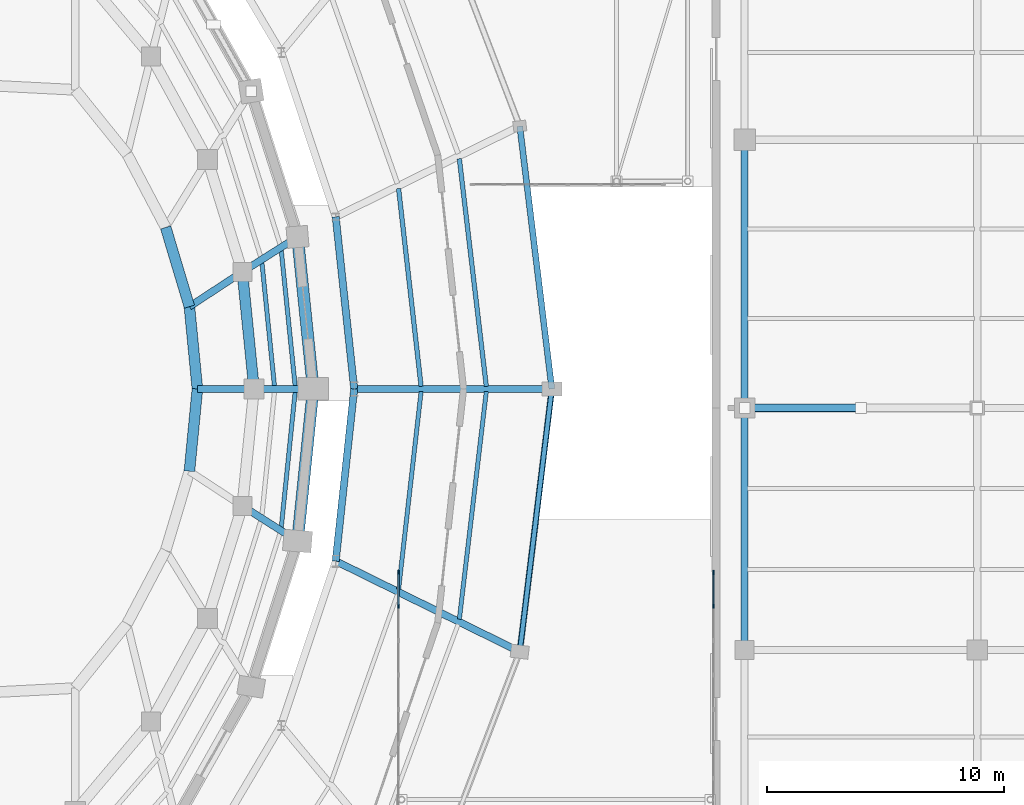
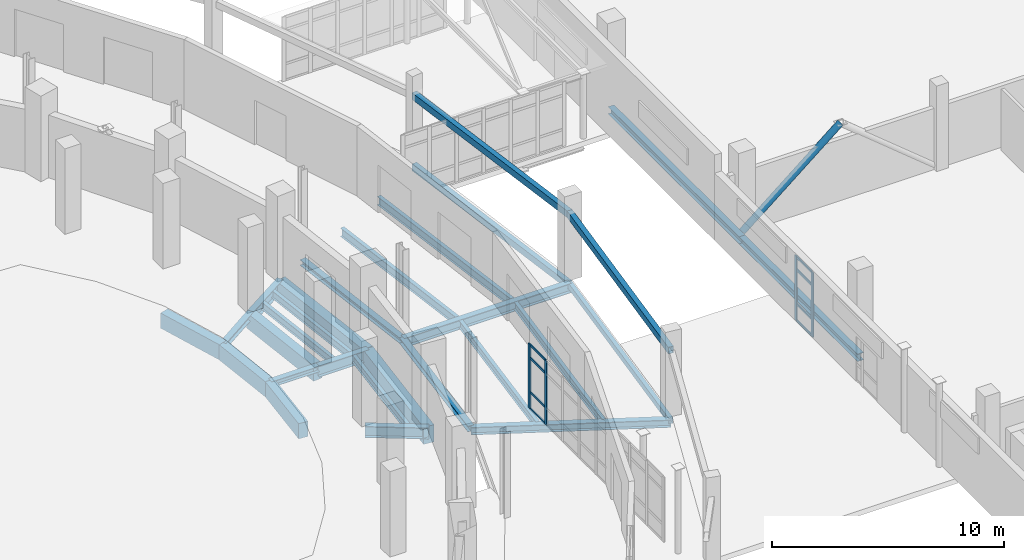
# One storey, part 71 of 122: 28 beams, 13 members, 2 elements without a shape of their own.
"""IFC4 building model written with IfcOpenShell, lengths in metres."""

from ifc_helpers import new_model, si_unit, direction, frame, origin, origin_2d, place, context, subcontext, project, spatial, rectangle, hollow_rectangle, hollow_circle, i_section, extrude, material, layer, layer_set, material_profile, profile_set, type_object, element, aggregate, save


model = new_model("IFC4")

# Units and contexts
model_context = context("Model", 3, precision=1e-05, world=origin(), true_north=direction((0.0, 1.0)))
body_context = subcontext(model_context, "Body", "Model", "MODEL_VIEW")
ifc_project = project(units=[si_unit("LENGTHUNIT", "METRE"), si_unit("AREAUNIT", "SQUARE_METRE"), si_unit("VOLUMEUNIT", "CUBIC_METRE"), si_unit("PLANEANGLEUNIT", "RADIAN"), si_unit("MASSUNIT", "GRAM", prefix="KILO")], contexts=[model_context])

# Site, building, storey
site_placement = place(None, origin())
site = spatial("IfcSite", under=ifc_project, at=site_placement, CompositionType="ELEMENT")
building_placement = place(site_placement, origin())
building = spatial("IfcBuilding", under=site, at=building_placement, Name="Sohan Crest Arena", CompositionType="ELEMENT")
storey_placement = place(building_placement, origin())
storey = spatial("IfcBuildingStorey", under=building, at=storey_placement, Name="L00", CompositionType="ELEMENT", Elevation=0.0)

# Curtain wall, members
ifc_material_1 = material(Name="Thermally broken anodised aluminium", Category="aluminium")
ifc_layer = layer(ifc_material_1, 0.18994140625, Name="Thermally broken anodised aluminium")
ifc_layer_set = layer_set([ifc_layer], Name="Thermally broken anodised aluminium")
curtain_wall_type = type_object("IfcCurtainWallType", Name="ARC-CW05", PredefinedType="NOTDEFINED", material=ifc_layer_set)
curtain_wall_1_placement = place(storey_placement, origin())
curtain_wall_1 = element("IfcCurtainWall", 1, at=curtain_wall_1_placement, inside=storey, type_object=curtain_wall_type, Name="Unitised curtain wall CW-239", PredefinedType="NOTDEFINED")
ifc_material_profile_1 = material_profile(ifc_material_1, rectangle(XDim=0.06494140625, YDim=0.179931640625, at=origin_2d()), Name="ALU-MULL 65x180")
ifc_profile_set_1 = profile_set([ifc_material_profile_1], Name="Thermally broken anodised aluminium")
member_type_1 = type_object("IfcMemberType", Name="ARC-CW-ML02", PredefinedType="MULLION", material=ifc_profile_set_1)
member_1_placement = place(storey_placement, frame((181.6201171875, 68.85009765625, 0.0), z_axis=(0.0, 0.0, 1.0), x_axis=(-1.0, 0.0, 0.0)))
member_1 = element("IfcMember", 2, at=member_1_placement, type_object=member_type_1, Name="CW-239 mullion 8", PredefinedType="MULLION", context=body_context, shape_type="SweptSolid", body=[
    extrude(rectangle(XDim=0.06494140625, YDim=0.179931640625, at=origin_2d()), origin(), (0.0, 0.0, 1.0), 3.39990234375),
])
member_2_placement = place(storey_placement, frame((181.6201171875, 70.267578125, 0.0), z_axis=(0.0, 0.0, 1.0), x_axis=(-1.0, 0.0, 0.0)))
member_2 = element("IfcMember", 3, at=member_2_placement, type_object=member_type_1, Name="CW-239 mullion 9", PredefinedType="MULLION", context=body_context, shape_type="SweptSolid", body=[
    extrude(rectangle(XDim=0.06494140625, YDim=0.179931640625, at=origin_2d()), origin(), (0.0, 0.0, 1.0), 3.39990234375),
])

curtain_wall_2_placement = place(storey_placement, origin())
curtain_wall_2 = element("IfcCurtainWall", 4, at=curtain_wall_2_placement, inside=storey, type_object=curtain_wall_type, Name="Unitised curtain wall CW-240", PredefinedType="NOTDEFINED")
member_3_placement = place(storey_placement, frame((194.8798828125, 68.85009765625, 0.0), z_axis=(0.0, 0.0, 1.0), x_axis=(-1.0, 0.0, 0.0)))
member_3 = element("IfcMember", 5, at=member_3_placement, type_object=member_type_1, Name="CW-240 mullion 8", PredefinedType="MULLION", context=body_context, shape_type="SweptSolid", body=[
    extrude(rectangle(XDim=0.06494140625, YDim=0.179931640625, at=origin_2d()), origin(), (0.0, 0.0, 1.0), 3.39990234375),
])
member_4_placement = place(storey_placement, frame((194.8798828125, 70.267578125, 0.0), z_axis=(0.0, 0.0, 1.0), x_axis=(-1.0, 0.0, 0.0)))
member_4 = element("IfcMember", 6, at=member_4_placement, type_object=member_type_1, Name="CW-240 mullion 9", PredefinedType="MULLION", context=body_context, shape_type="SweptSolid", body=[
    extrude(rectangle(XDim=0.06494140625, YDim=0.179931640625, at=origin_2d()), origin(), (0.0, 0.0, 1.0), 3.39990234375),
])

# Member
ifc_material_profile_2 = material_profile(ifc_material_1, rectangle(XDim=0.06005859375, YDim=0.1201171875, at=origin_2d()), Name="ALU-TRAN 60x120")
ifc_profile_set_2 = profile_set([ifc_material_profile_2], Name="Thermally broken anodised aluminium")
member_type_2 = type_object("IfcMemberType", Name="ARC-CW-TR01", PredefinedType="USERDEFINED", material=ifc_profile_set_2)
member_5_placement = place(storey_placement, frame((181.6201171875, 68.882568359375, 0.030029296875), z_axis=(0.0, 1.0, 0.0), x_axis=(-1.0, 0.0, 0.0)))
member_5 = element("IfcMember", 7, at=member_5_placement, type_object=member_type_2, Name="CW-239 transom 8.1", ObjectType="TRANSOM", PredefinedType="USERDEFINED", context=body_context, shape_type="SweptSolid", body=[
    extrude(rectangle(XDim=0.06005859375, YDim=0.1201171875, at=origin_2d()), origin(), (0.0, 0.0, 1.0), 1.3525390625),
])

member_6_placement = place(storey_placement, frame((181.6201171875, 68.882568359375, 0.89990234375), z_axis=(0.0, 1.0, 0.0), x_axis=(-1.0, 0.0, 0.0)))
member_6 = element("IfcMember", 8, at=member_6_placement, type_object=member_type_2, Name="CW-239 transom 8.2", ObjectType="TRANSOM", PredefinedType="USERDEFINED", context=body_context, shape_type="SweptSolid", body=[
    extrude(rectangle(XDim=0.06005859375, YDim=0.1201171875, at=origin_2d()), origin(), (0.0, 0.0, 1.0), 1.3525390625),
])

member_7_placement = place(storey_placement, frame((181.6201171875, 68.882568359375, 2.699951171875), z_axis=(0.0, 1.0, 0.0), x_axis=(-1.0, 0.0, 0.0)))
member_7 = element("IfcMember", 9, at=member_7_placement, type_object=member_type_2, Name="CW-239 transom 8.3", ObjectType="TRANSOM", PredefinedType="USERDEFINED", context=body_context, shape_type="SweptSolid", body=[
    extrude(rectangle(XDim=0.06005859375, YDim=0.1201171875, at=origin_2d()), origin(), (0.0, 0.0, 1.0), 1.3525390625),
])

member_8_placement = place(storey_placement, frame((181.6201171875, 68.882568359375, 3.3701171875), z_axis=(0.0, 1.0, 0.0), x_axis=(-1.0, 0.0, 0.0)))
member_8 = element("IfcMember", 10, at=member_8_placement, type_object=member_type_2, Name="CW-239 transom 8.4", ObjectType="TRANSOM", PredefinedType="USERDEFINED", context=body_context, shape_type="SweptSolid", body=[
    extrude(rectangle(XDim=0.06005859375, YDim=0.1201171875, at=origin_2d()), origin(), (0.0, 0.0, 1.0), 1.3525390625),
])

aggregate(curtain_wall_1, [member_1, member_2, member_5, member_6, member_7, member_8])

member_9_placement = place(storey_placement, frame((194.8798828125, 68.882568359375, 0.030029296875), z_axis=(0.0, 1.0, 0.0), x_axis=(-1.0, 0.0, 0.0)))
member_9 = element("IfcMember", 11, at=member_9_placement, type_object=member_type_2, Name="CW-240 transom 8.1", ObjectType="TRANSOM", PredefinedType="USERDEFINED", context=body_context, shape_type="SweptSolid", body=[
    extrude(rectangle(XDim=0.06005859375, YDim=0.1201171875, at=origin_2d()), origin(), (0.0, 0.0, 1.0), 1.3525390625),
])

member_10_placement = place(storey_placement, frame((194.8798828125, 68.882568359375, 0.89990234375), z_axis=(0.0, 1.0, 0.0), x_axis=(-1.0, 0.0, 0.0)))
member_10 = element("IfcMember", 12, at=member_10_placement, type_object=member_type_2, Name="CW-240 transom 8.2", ObjectType="TRANSOM", PredefinedType="USERDEFINED", context=body_context, shape_type="SweptSolid", body=[
    extrude(rectangle(XDim=0.06005859375, YDim=0.1201171875, at=origin_2d()), origin(), (0.0, 0.0, 1.0), 1.3525390625),
])

member_11_placement = place(storey_placement, frame((194.8798828125, 68.882568359375, 2.699951171875), z_axis=(0.0, 1.0, 0.0), x_axis=(-1.0, 0.0, 0.0)))
member_11 = element("IfcMember", 13, at=member_11_placement, type_object=member_type_2, Name="CW-240 transom 8.3", ObjectType="TRANSOM", PredefinedType="USERDEFINED", context=body_context, shape_type="SweptSolid", body=[
    extrude(rectangle(XDim=0.06005859375, YDim=0.1201171875, at=origin_2d()), origin(), (0.0, 0.0, 1.0), 1.3525390625),
])

member_12_placement = place(storey_placement, frame((194.8798828125, 68.882568359375, 3.3701171875), z_axis=(0.0, 1.0, 0.0), x_axis=(-1.0, 0.0, 0.0)))
member_12 = element("IfcMember", 14, at=member_12_placement, type_object=member_type_2, Name="CW-240 transom 8.4", ObjectType="TRANSOM", PredefinedType="USERDEFINED", context=body_context, shape_type="SweptSolid", body=[
    extrude(rectangle(XDim=0.06005859375, YDim=0.1201171875, at=origin_2d()), origin(), (0.0, 0.0, 1.0), 1.3525390625),
])

aggregate(curtain_wall_2, [member_3, member_4, member_9, member_10, member_11, member_12])

# Beams
ifc_material_2 = material(Name="Steel S355", Category="steel")
ifc_material_profile_3 = material_profile(ifc_material_2, i_section(OverallWidth=0.179931640625, OverallDepth=0.39990234375, WebThickness=0.008544921875, FlangeThickness=0.013427734375, at=origin_2d()), Name="IPE 400")
ifc_profile_set_3 = profile_set([ifc_material_profile_3], Name="Steel S355")
beam_type_1 = type_object("IfcBeamType", Name="STR-BM-B03", PredefinedType="JOIST", material=ifc_profile_set_3)
beam_1_placement = place(storey_placement, frame((176.676025390625, 72.14501953125, -0.449951171875), z_axis=(0.101947356638, 0.99478979512, 0.0), x_axis=(-0.99478979512, 0.101947356638, 0.0)))
element("IfcBeam", 15, at=beam_1_placement, inside=storey, type_object=beam_type_1, Name="Structural beam J-L00-0549", PredefinedType="JOIST", context=body_context, shape_type="SweptSolid", body=[
    extrude(i_section(OverallWidth=0.179931640625, OverallDepth=0.39990234375, WebThickness=0.008544921875, FlangeThickness=0.013427734375, at=origin_2d()), origin(), (0.0, 0.0, 1.0), 5.776123046875),
])
beam_2_placement = place(storey_placement, frame((176.39306640625, 78.10888671875, -0.449951171875), z_axis=(-0.101030499598, 0.994883328914, 0.0), x_axis=(-0.994883328914, -0.101030499598, 0.0)))
element("IfcBeam", 16, at=beam_2_placement, inside=storey, type_object=beam_type_1, Name="Structural beam J-L00-0571", PredefinedType="JOIST", context=body_context, shape_type="SweptSolid", body=[
    extrude(i_section(OverallWidth=0.179931640625, OverallDepth=0.39990234375, WebThickness=0.008544921875, FlangeThickness=0.013427734375, at=origin_2d()), origin(), (0.0, 0.0, 1.0), 5.255859375),
])
beam_3_placement = place(storey_placement, frame((177.264892578125, 78.10888671875, -0.449951171875), z_axis=(-0.101947356638, 0.99478979512, 0.0), x_axis=(-0.99478979512, -0.101947356638, 0.0)))
element("IfcBeam", 17, at=beam_3_placement, inside=storey, type_object=beam_type_1, Name="Structural beam J-L00-0572", PredefinedType="JOIST", context=body_context, shape_type="SweptSolid", body=[
    extrude(i_section(OverallWidth=0.179931640625, OverallDepth=0.39990234375, WebThickness=0.008544921875, FlangeThickness=0.013427734375, at=origin_2d()), origin(), (0.0, 0.0, 1.0), 5.776123046875),
])
beam_4_placement = place(storey_placement, frame((181.6201171875, 69.55908203125, -0.47509765625), z_axis=(0.11316313726, 0.993576420999, 0.0), x_axis=(-0.993576420999, 0.11316313726, 0.0)))
element("IfcBeam", 18, at=beam_4_placement, inside=storey, type_object=beam_type_1, Name="Structural beam J-L00-1024", PredefinedType="JOIST", context=body_context, shape_type="SweptSolid", body=[
    extrude(i_section(OverallWidth=0.179931640625, OverallDepth=0.39990234375, WebThickness=0.008544921875, FlangeThickness=0.013427734375, at=origin_2d()), origin(), (0.0, 0.0, 1.0), 8.385986328125),
])
beam_5_placement = place(storey_placement, frame((184.179931640625, 68.299072265625, -0.47509765625), z_axis=(0.117608198901, 0.993060074493, 0.0), x_axis=(-0.993060074493, 0.117608198901, 0.0)))
element("IfcBeam", 19, at=beam_5_placement, inside=storey, type_object=beam_type_1, Name="Structural beam J-L00-1025", PredefinedType="JOIST", context=body_context, shape_type="SweptSolid", body=[
    extrude(i_section(OverallWidth=0.179931640625, OverallDepth=0.39990234375, WebThickness=0.008544921875, FlangeThickness=0.013427734375, at=origin_2d()), origin(), (0.0, 0.0, 1.0), 9.6591796875),
])
ifc_material_profile_4 = material_profile(ifc_material_2, i_section(OverallWidth=0.18994140625, OverallDepth=0.449951171875, WebThickness=0.009521484375, FlangeThickness=0.0146484375, at=origin_2d()), Name="IPE 450")
ifc_profile_set_4 = profile_set([ifc_material_profile_4], Name="Steel S355")
beam_type_2 = type_object("IfcBeamType", Name="STR-BM-B04", PredefinedType="JOIST", material=ifc_profile_set_4)
beam_6_placement = place(storey_placement, frame((182.569091796875, 78.10888671875, -0.5), z_axis=(-0.11316313726, 0.993576420999, 0.0), x_axis=(-0.993576420999, -0.11316313726, 0.0)))
element("IfcBeam", 20, at=beam_6_placement, inside=storey, type_object=beam_type_2, Name="Structural beam J-L00-1030", PredefinedType="JOIST", context=body_context, shape_type="SweptSolid", body=[
    extrude(i_section(OverallWidth=0.18994140625, OverallDepth=0.449951171875, WebThickness=0.009521484375, FlangeThickness=0.0146484375, at=origin_2d()), origin(), (0.0, 0.0, 1.0), 8.385986328125),
])
beam_7_placement = place(storey_placement, frame((185.31591796875, 78.10888671875, -0.5), z_axis=(-0.117608198901, 0.993060074493, 0.0), x_axis=(-0.993060074493, -0.117608198901, 0.0)))
element("IfcBeam", 21, at=beam_7_placement, inside=storey, type_object=beam_type_2, Name="Structural beam J-L00-1031", PredefinedType="JOIST", context=body_context, shape_type="SweptSolid", body=[
    extrude(i_section(OverallWidth=0.18994140625, OverallDepth=0.449951171875, WebThickness=0.009521484375, FlangeThickness=0.0146484375, at=origin_2d()), origin(), (0.0, 0.0, 1.0), 9.6591796875),
])
ifc_material_profile_5 = material_profile(ifc_material_2, i_section(OverallWidth=0.300048828125, OverallDepth=0.389892578125, WebThickness=0.010986328125, FlangeThickness=0.01904296875, at=origin_2d()), Name="HEA 400")
ifc_profile_set_5 = profile_set([ifc_material_profile_5], Name="Steel S355")
beam_type_3 = type_object("IfcBeamType", Name="STR-BM-B09", PredefinedType="BEAM", material=ifc_profile_set_5)
beam_8_placement = place(storey_placement, frame((196.199951171875, 67.0, -0.425048828125), z_axis=(0.0, 1.0, 0.0), x_axis=(-1.0, 0.0, 0.0)))
element("IfcBeam", 22, at=beam_8_placement, inside=storey, type_object=beam_type_3, Name="Structural beam G-L00-2185", PredefinedType="BEAM", context=body_context, shape_type="SweptSolid", body=[
    extrude(i_section(OverallWidth=0.300048828125, OverallDepth=0.389892578125, WebThickness=0.010986328125, FlangeThickness=0.01904296875, at=origin_2d()), origin(), (0.0, 0.0, 1.0), 10.199951171875),
])
beam_9_placement = place(storey_placement, frame((196.199951171875, 77.199951171875, -0.425048828125), z_axis=(0.0, 1.0, 0.0), x_axis=(-1.0, 0.0, 0.0)))
element("IfcBeam", 23, at=beam_9_placement, inside=storey, type_object=beam_type_3, Name="Structural beam G-L00-2186", PredefinedType="BEAM", context=body_context, shape_type="SweptSolid", body=[
    extrude(i_section(OverallWidth=0.300048828125, OverallDepth=0.389892578125, WebThickness=0.010986328125, FlangeThickness=0.01904296875, at=origin_2d()), origin(), (0.0, 0.0, 1.0), 11.300048828125),
])
ifc_material_profile_6 = material_profile(ifc_material_2, i_section(OverallWidth=0.300048828125, OverallDepth=0.590087890625, WebThickness=0.012939453125, FlangeThickness=0.02490234375, at=origin_2d()), Name="HEA 600")
ifc_profile_set_6 = profile_set([ifc_material_profile_6], Name="Steel S355")
beam_type_4 = type_object("IfcBeamType", Name="STR-BM-B11", PredefinedType="BEAM", material=ifc_profile_set_6)
beam_10_placement = place(storey_placement, frame((175.037109375, 73.070068359375, -0.544921875), z_axis=(0.84416826172, -0.536078302027, 0.0), x_axis=(0.536078302027, 0.84416826172, 0.0)))
element("IfcBeam", 24, at=beam_10_placement, inside=storey, type_object=beam_type_4, Name="Structural beam G-L00-0547", PredefinedType="BEAM", context=body_context, shape_type="SweptSolid", body=[
    extrude(i_section(OverallWidth=0.300048828125, OverallDepth=0.590087890625, WebThickness=0.012939453125, FlangeThickness=0.02490234375, at=origin_2d()), origin(), (0.0, 0.0, 1.0), 2.75537109375),
])
beam_11_placement = place(storey_placement, frame((175.531982421875, 78.0, -0.544921875), z_axis=(1.0, 0.0, 0.0), x_axis=(0.0, 1.0, 0.0)))
element("IfcBeam", 25, at=beam_11_placement, inside=storey, type_object=beam_type_4, Name="Structural beam G-L00-0570", PredefinedType="BEAM", context=body_context, shape_type="SweptSolid", body=[
    extrude(i_section(OverallWidth=0.300048828125, OverallDepth=0.590087890625, WebThickness=0.012939453125, FlangeThickness=0.02490234375, at=origin_2d()), origin(), (0.0, 0.0, 1.0), 2.490966796875),
])
beam_12_placement = place(storey_placement, frame((175.037109375, 82.929931640625, -0.544921875), z_axis=(0.84416826172, 0.536078302027, 0.0), x_axis=(-0.536078302027, 0.84416826172, 0.0)))
element("IfcBeam", 26, at=beam_12_placement, inside=storey, type_object=beam_type_4, Name="Structural beam G-L00-0593", PredefinedType="BEAM", context=body_context, shape_type="SweptSolid", body=[
    extrude(i_section(OverallWidth=0.300048828125, OverallDepth=0.590087890625, WebThickness=0.012939453125, FlangeThickness=0.02490234375, at=origin_2d()), origin(), (0.0, 0.0, 1.0), 2.75537109375),
])
ifc_material_profile_7 = material_profile(ifc_material_2, i_section(OverallWidth=0.300048828125, OverallDepth=0.300048828125, WebThickness=0.010986328125, FlangeThickness=0.01904296875, at=origin_2d()), Name="HEB 300")
ifc_profile_set_7 = profile_set([ifc_material_profile_7], Name="Steel S355")
beam_type_5 = type_object("IfcBeamType", Name="STR-BM-B12", PredefinedType="BEAM", material=ifc_profile_set_7)
beam_13_placement = place(storey_placement, frame((173.14501953125, 78.0, -0.39990234375), z_axis=(1.0, 0.0, 0.0), x_axis=(0.0, 1.0, 0.0)))
element("IfcBeam", 27, at=beam_13_placement, inside=storey, type_object=beam_type_5, Name="Structural beam G-L00-0567", PredefinedType="BEAM", context=body_context, shape_type="SweptSolid", body=[
    extrude(i_section(OverallWidth=0.300048828125, OverallDepth=0.300048828125, WebThickness=0.010986328125, FlangeThickness=0.01904296875, at=origin_2d()), origin(), (0.0, 0.0, 1.0), 2.386962890625),
])
beam_14_placement = place(storey_placement, frame((172.80810546875, 81.467041015625, -0.39990234375), z_axis=(0.836029533963, 0.54868444332, 0.0), x_axis=(-0.54868444332, 0.836029533963, 0.0)))
element("IfcBeam", 28, at=beam_14_placement, inside=storey, type_object=beam_type_5, Name="Structural beam G-L00-0590", PredefinedType="BEAM", context=body_context, shape_type="SweptSolid", body=[
    extrude(i_section(OverallWidth=0.300048828125, OverallDepth=0.300048828125, WebThickness=0.010986328125, FlangeThickness=0.01904296875, at=origin_2d()), origin(), (0.0, 0.0, 1.0), 2.666259765625),
])
for number, where, z_axis, x_axis, name in (
    (29, (178.971923828125, 70.748046875, -0.425048828125), (0.106679679342, 0.994293440598, 0.0), (-0.994293440598, 0.106679679342, 0.0), "Structural beam G-L00-1021"),
    (30, (179.75, 78.0, -0.425048828125), (-0.106679679342, 0.994293440598, 0.0), (-0.994293440598, -0.106679679342, 0.0), "Structural beam G-L00-1027"),
):
    element("IfcBeam", number, at=place(storey_placement, frame(where, z_axis=z_axis, x_axis=x_axis)), inside=storey, type_object=beam_type_5, Name=name, PredefinedType="BEAM", context=body_context, shape_type="SweptSolid", body=[
        extrude(i_section(OverallWidth=0.300048828125, OverallDepth=0.300048828125, WebThickness=0.010986328125, FlangeThickness=0.01904296875, at=origin_2d()), origin(), (0.0, 0.0, 1.0), 7.29345703125),
    ])
ifc_material_profile_8 = material_profile(ifc_material_2, i_section(OverallWidth=0.300048828125, OverallDepth=0.39990234375, WebThickness=0.013427734375, FlangeThickness=0.02392578125, at=origin_2d()), Name="HEB 400")
ifc_profile_set_8 = profile_set([ifc_material_profile_8], Name="Steel S355")
beam_type_6 = type_object("IfcBeamType", Name="STR-BM-B13", PredefinedType="BEAM", material=ifc_profile_set_8)
beam_15_placement = place(storey_placement, frame((178.971923828125, 70.748046875, -0.47509765625), z_axis=(0.897117109087, -0.441792816356, 0.0), x_axis=(0.441792816356, 0.897117109087, 0.0)))
element("IfcBeam", 31, at=beam_15_placement, inside=storey, type_object=beam_type_6, Name="Structural beam G-L00-1020", PredefinedType="BEAM", context=body_context, shape_type="SweptSolid", body=[
    extrude(i_section(OverallWidth=0.300048828125, OverallDepth=0.39990234375, WebThickness=0.013427734375, FlangeThickness=0.02392578125, at=origin_2d()), origin(), (0.0, 0.0, 1.0), 8.642333984375),
])
ifc_material_profile_9 = material_profile(ifc_material_2, i_section(OverallWidth=0.300048828125, OverallDepth=0.5, WebThickness=0.014404296875, FlangeThickness=0.028076171875, at=origin_2d()), Name="HEB 500")
ifc_profile_set_9 = profile_set([ifc_material_profile_9], Name="Steel S355")
beam_type_7 = type_object("IfcBeamType", Name="STR-BM-B14", PredefinedType="BEAM", material=ifc_profile_set_9)
beam_16_placement = place(storey_placement, frame((179.75, 78.0, -0.52490234375), z_axis=(1.0, 0.0, 0.0), x_axis=(0.0, 1.0, 0.0)))
element("IfcBeam", 32, at=beam_16_placement, inside=storey, type_object=beam_type_7, Name="Structural beam G-L00-1026", PredefinedType="BEAM", context=body_context, shape_type="SweptSolid", body=[
    extrude(i_section(OverallWidth=0.300048828125, OverallDepth=0.5, WebThickness=0.014404296875, FlangeThickness=0.028076171875, at=origin_2d()), origin(), (0.0, 0.0, 1.0), 8.326904296875),
])
ifc_material_profile_10 = material_profile(ifc_material_2, hollow_rectangle(XDim=0.199951171875, YDim=0.300048828125, WallThickness=0.010009765625, at=origin_2d()), Name="RHS 300x200x10")
ifc_profile_set_10 = profile_set([ifc_material_profile_10], Name="Steel S355")
beam_type_8 = type_object("IfcBeamType", Name="STR-BM-SP03", PredefinedType="SPANDREL", material=ifc_profile_set_10)
beam_17_placement = place(storey_placement, frame((186.72509765625, 66.929931640625, -0.425048828125), z_axis=(0.121213260401, 0.992626488415, 0.0), x_axis=(-0.992626488415, 0.121213260401, 0.0)))
element("IfcBeam", 33, at=beam_17_placement, inside=storey, type_object=beam_type_8, Name="Structural beam SP-L00-1022", PredefinedType="SPANDREL", context=body_context, shape_type="SweptSolid", body=[
    extrude(hollow_rectangle(XDim=0.199951171875, YDim=0.300048828125, WallThickness=0.010009765625, at=origin_2d()), origin(), (0.0, 0.0, 1.0), 11.15234375),
])
ifc_material_profile_11 = material_profile(ifc_material_2, hollow_rectangle(XDim=0.25, YDim=0.35009765625, WallThickness=0.012451171875, at=origin_2d()), Name="RHS 350x250x12.5")
ifc_profile_set_11 = profile_set([ifc_material_profile_11], Name="Steel S355")
beam_type_9 = type_object("IfcBeamType", Name="STR-BM-SP04", PredefinedType="SPANDREL", material=ifc_profile_set_11)
for number, where, z_axis, x_axis, name in (
    (34, (186.72509765625, 66.929931640625, 3.300048828125), (0.121213260401, 0.992626488415, 0.0), (-0.992626488415, 0.121213260401, 0.0), "Structural beam ARC-L00-1023"),
    (35, (188.076904296875, 78.0, -0.449951171875), (-0.121213260401, 0.992626488415, 0.0), (-0.992626488415, -0.121213260401, 0.0), "Structural beam SP-L00-1028"),
    (36, (188.076904296875, 78.0, 3.300048828125), (-0.121213260401, 0.992626488415, 0.0), (-0.992626488415, -0.121213260401, 0.0), "Structural beam ARC-L00-1029"),
):
    element("IfcBeam", number, at=place(storey_placement, frame(where, z_axis=z_axis, x_axis=x_axis)), inside=storey, type_object=beam_type_9, Name=name, PredefinedType="SPANDREL", context=body_context, shape_type="SweptSolid", body=[
        extrude(hollow_rectangle(XDim=0.25, YDim=0.35009765625, WallThickness=0.012451171875, at=origin_2d()), origin(), (0.0, 0.0, 1.0), 11.15234375),
    ])
ifc_material_3 = material(Name="Concrete C40/50", Category="concrete")
ifc_material_profile_12 = material_profile(ifc_material_3, rectangle(XDim=0.449951171875, YDim=0.800048828125, at=origin_2d()), Name="RC-BM 450x800")
ifc_profile_set_12 = profile_set([ifc_material_profile_12], Name="Concrete C40/50")
beam_type_10 = type_object("IfcBeamType", Name="STR-BM-TB02", PredefinedType="BEAM", material=ifc_profile_set_12)
for number, where, z_axis, x_axis, name in (
    (37, (172.80810546875, 74.532958984375, -0.64990234375), (0.096720650846, 0.995311567149, 0.0), (-0.995311567149, 0.096720650846, 0.0), "Structural beam TB-L00-0543"),
    (38, (173.14501953125, 78.0, -0.64990234375), (-0.096720650846, 0.995311567149, 0.0), (-0.995311567149, -0.096720650846, 0.0), "Structural beam TB-L00-0566"),
):
    element("IfcBeam", number, at=place(storey_placement, frame(where, z_axis=z_axis, x_axis=x_axis)), inside=storey, type_object=beam_type_10, Name=name, PredefinedType="BEAM", context=body_context, shape_type="SweptSolid", body=[
        extrude(rectangle(XDim=0.449951171875, YDim=0.800048828125, at=origin_2d()), origin(), (0.0, 0.0, 1.0), 3.4833984375),
    ])
beam_18_placement = place(storey_placement, frame((175.531982421875, 78.0, -0.64990234375), z_axis=(-0.099879368849, 0.994999553607, 0.0), x_axis=(-0.994999553607, -0.099879368849, 0.0)))
element("IfcBeam", 39, at=beam_18_placement, inside=storey, type_object=beam_type_10, Name="Structural beam TB-L00-0568", PredefinedType="BEAM", context=body_context, shape_type="SweptSolid", body=[
    extrude(rectangle(XDim=0.449951171875, YDim=0.800048828125, at=origin_2d()), origin(), (0.0, 0.0, 1.0), 4.95458984375),
])
beam_19_placement = place(storey_placement, frame((172.80810546875, 81.467041015625, -0.64990234375), z_axis=(-0.286730686507, 0.95801122823, 0.0), x_axis=(-0.95801122823, -0.286730686507, 0.0)))
element("IfcBeam", 40, at=beam_19_placement, inside=storey, type_object=beam_type_10, Name="Structural beam TB-L00-0589", PredefinedType="BEAM", context=body_context, shape_type="SweptSolid", body=[
    extrude(rectangle(XDim=0.449951171875, YDim=0.800048828125, at=origin_2d()), origin(), (0.0, 0.0, 1.0), 3.484130859375),
])
ifc_material_profile_13 = material_profile(ifc_material_3, rectangle(XDim=0.5, YDim=0.89990234375, at=origin_2d()), Name="RC-BM 500x900")
ifc_profile_set_13 = profile_set([ifc_material_profile_13], Name="Concrete C40/50")
beam_type_11 = type_object("IfcBeamType", Name="STR-BM-TB03", PredefinedType="BEAM", material=ifc_profile_set_13)
for number, where, z_axis, x_axis, name in (
    (41, (177.363037109375, 71.593017578125, -0.699951171875), (0.102456857996, 0.994737448903, 0.0), (-0.994737448903, 0.102456857996, 0.0), "Structural beam TB-L00-0546"),
    (42, (178.02294921875, 78.0, -0.699951171875), (-0.102456857996, 0.994737448903, 0.0), (-0.994737448903, -0.102456857996, 0.0), "Structural beam TB-L00-0569"),
):
    element("IfcBeam", number, at=place(storey_placement, frame(where, z_axis=z_axis, x_axis=x_axis)), inside=storey, type_object=beam_type_11, Name=name, PredefinedType="BEAM", context=body_context, shape_type="SweptSolid", body=[
        extrude(rectangle(XDim=0.5, YDim=0.89990234375, at=origin_2d()), origin(), (0.0, 0.0, 1.0), 6.44091796875),
    ])

# Member
ifc_material_profile_14 = material_profile(ifc_material_2, hollow_circle(Radius=0.161865234375, WallThickness=0.012451171875, at=origin_2d()), Name="CHS 323.9x12.5")
ifc_profile_set_14 = profile_set([ifc_material_profile_14], Name="Steel S355")
member_type_3 = type_object("IfcMemberType", Name="STR-MEM-BR03", PredefinedType="BRACE", material=ifc_profile_set_14)
member_13_placement = place(storey_placement, frame((196.199951171875, 77.199951171875, 0.0), z_axis=(0.773120832569, 0.0, 0.634258762846), x_axis=(0.0, 1.0, 0.0)))
element("IfcMember", 43, at=member_13_placement, inside=storey, type_object=member_type_3, Name="Practice hall chevron brace BR-033", PredefinedType="BRACE", context=body_context, shape_type="SweptSolid", body=[
    extrude(hollow_circle(Radius=0.161865234375, WallThickness=0.012451171875, at=origin_2d()), origin(), (0.0, 0.0, 1.0), 6.338134765625),
])

save(model, "model.ifc")
